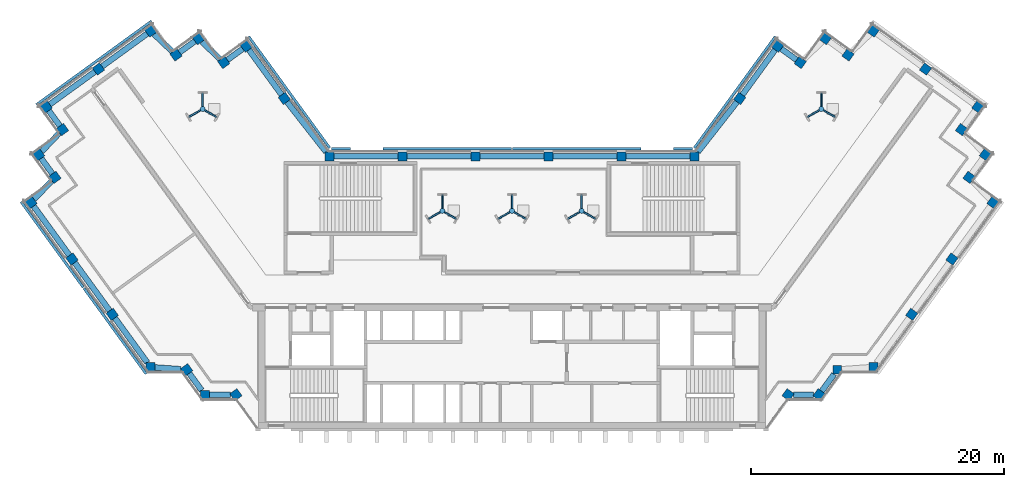
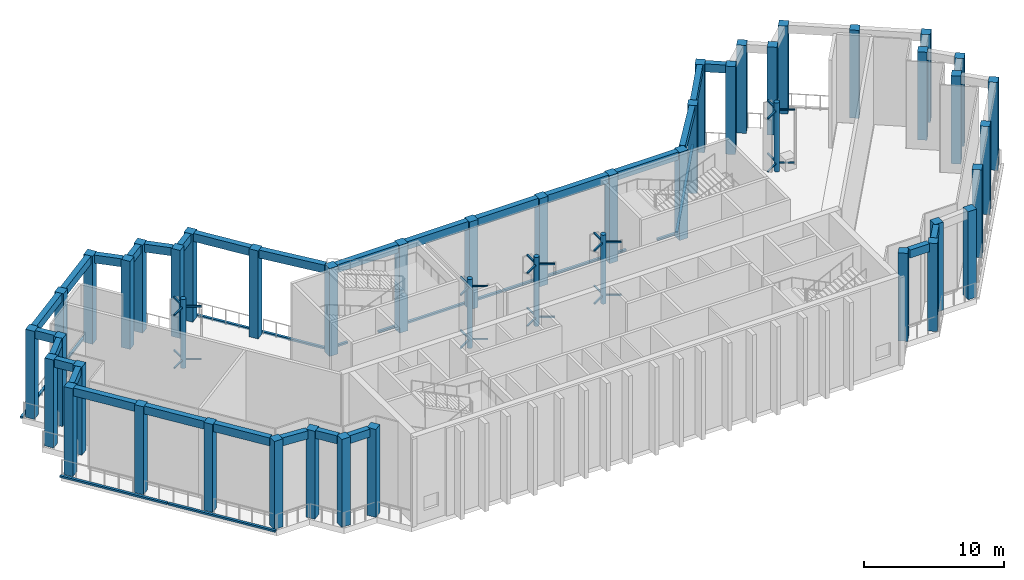
"""IFC4 building model written with IfcOpenShell, lengths in metres."""

from ifc_helpers import new_model, si_unit, direction, frame, origin, origin_2d, place, context, subcontext, project, spatial, rectangle, circle, extrude, material, material_profile, profile_set, type_object, element, aggregate, save


model = new_model("IFC4")

# Units and contexts
model_context = context("Model", 3, precision=1e-05, world=origin(), true_north=direction((0.0, 1.0)))
body_context = subcontext(model_context, "Body", "Model", "MODEL_VIEW")
ifc_project = project(units=[si_unit("LENGTHUNIT", "METRE"), si_unit("AREAUNIT", "SQUARE_METRE"), si_unit("VOLUMEUNIT", "CUBIC_METRE"), si_unit("PLANEANGLEUNIT", "RADIAN"), si_unit("MASSUNIT", "GRAM", prefix="KILO")], contexts=[model_context])

# Site, building, storey
site_placement = place(None, origin())
site = spatial("IfcSite", under=ifc_project, at=site_placement, CompositionType="ELEMENT")
building_placement = place(site_placement, origin())
building = spatial("IfcBuilding", under=site, at=building_placement, Name="Quipu Civic Tower", CompositionType="ELEMENT")
storey_1_placement = place(building_placement, frame((0.0, 0.0, 273.0)))
storey_1 = spatial("IfcBuildingStorey", under=building, at=storey_1_placement, Name="L64", CompositionType="ELEMENT", Elevation=273.0)

# Columns
ifc_material_1 = material(Name="Concrete C50/60", Category="concrete")
ifc_material_profile_1 = material_profile(ifc_material_1, rectangle(XDim=0.699951171875, YDim=0.699951171875, at=origin_2d()), Name="RC700x700")
ifc_profile_set_1 = profile_set([ifc_material_profile_1], Name="Concrete C50/60")
column_type = type_object("IfcColumnType", Name="Perimeter column RC 700x700 C50/60", PredefinedType="COLUMN", material=ifc_profile_set_1)
for number, where, z_axis, x_axis, name in (
    (1, (-17.9736328125, 15.074951171875, 0.0), (0.0, 0.0, 1.0), (-0.587785252292, 0.809016994375, 0.0), "Column L64 W-IN-01"),
    (2, (-20.969970703125, 19.195068359375, 0.0), (0.0, 0.0, 1.0), (-0.587785252292, 0.809016994375, 0.0), "Column L64 T-Wi.0-W22"),
    (3, (-22.749267578125, 17.904296875, 0.0), (0.0, 0.0, 1.0), (-0.587785252292, 0.809016994375, 0.0), "Column L64 T-Wi.1-W22"),
    (4, (-24.739990234375, 19.794921875, 0.0), (0.0, 0.0, 1.0), (-0.587785252292, 0.809016994375, 0.0), "Column L64 T-Wi.2-W22"),
    (5, (-26.51904296875, 18.50048828125, 0.0), (0.0, 0.0, 1.0), (-0.587785252292, 0.809016994375, 0.0), "Column L64 T-Wi.3-W22"),
    (6, (-28.510009765625, 20.389892578125, 0.0), (0.0, 0.0, 1.0), (-0.809016994375, -0.587785252292, 0.0), "Column L64 T-Wi.4-W22"),
    (7, (-32.636962890625, 17.39306640625, 0.0), (0.0, 0.0, 1.0), (-0.809016994375, -0.587785252292, 0.0), "Column L64 TIP-W-01-W22"),
    (8, (-36.764892578125, 14.39501953125, 0.0), (0.0, 0.0, 1.0), (0.587785252292, -0.809016994375, 0.0), "Column L64 T-Wo.0-W22"),
    (9, (-35.470703125, 12.616455078125, 0.0), (0.0, 0.0, 1.0), (-0.809016994375, -0.587785252292, 0.0), "Column L64 T-Wo.1-W22"),
    (10, (-37.360107421875, 10.625, 0.0), (0.0, 0.0, 1.0), (0.587785252292, -0.809016994375, 0.0), "Column L64 T-Wo.2-W22"),
    (11, (-36.068115234375, 8.843994140625, 0.0), (0.0, 0.0, 1.0), (0.587785252292, -0.809016994375, 0.0), "Column L64 T-Wo.3-W22"),
    (12, (-37.9599609375, 6.85498046875, 0.0), (0.0, 0.0, 1.0), (0.587785252292, -0.809016994375, 0.0), "Column L64 T-Wo.4-W22"),
    (13, (-34.722412109375, 2.39990234375, 0.0), (0.0, 0.0, 1.0), (0.587785252292, -0.809016994375, 0.0), "Column L64 W-OUT-02"),
    (14, (-31.54833984375, -1.96875, 0.0), (0.0, 0.0, 1.0), (0.587785252292, -0.809016994375, 0.0), "Column L64 W-OUT-01"),
    (15, (-28.52490234375, -6.1298828125, 0.0), (0.0, 0.0, 1.0), (1.0, 0.0, 0.0), "Column L64 J-Wo.0"),
    (16, (-25.67431640625, -6.3369140625, 0.0), (0.0, 0.0, 1.0), (0.587785252292, -0.809016994375, 0.0), "Column L64 J-Wo.1"),
    (17, (-24.235107421875, -8.31494140625, 0.0), (0.0, 0.0, 1.0), (1.0, 0.0, 0.0), "Column L64 J-Wo.2"),
    (18, (-21.791748046875, -8.31494140625, 0.0), (0.0, 0.0, 1.0), (0.587785252292, -0.809016994375, 0.0), "Column L64 J-Wo.3"),
    (19, (21.791748046875, -8.31494140625, 0.0), (0.0, 0.0, 1.0), (0.587785252292, 0.809016994375, 0.0), "Column L64 J-Eo.1"),
    (20, (24.235107421875, -8.31494140625, 0.0), (0.0, 0.0, 1.0), (0.587785252292, 0.809016994375, 0.0), "Column L64 J-Eo.2"),
    (21, (25.67431640625, -6.3369140625, 0.0), (0.0, 0.0, 1.0), (1.0, 0.0, 0.0), "Column L64 J-Eo.3"),
    (22, (28.52490234375, -6.1298828125, 0.0), (0.0, 0.0, 1.0), (1.0, 0.0, 0.0), "Column L64 J-Eo.4"),
    (23, (31.54833984375, -1.96875, 0.0), (0.0, 0.0, 1.0), (0.587785252292, 0.809016994375, 0.0), "Column L64 E-OUT-01"),
    (24, (34.722412109375, 2.39990234375, 0.0), (0.0, 0.0, 1.0), (0.587785252292, 0.809016994375, 0.0), "Column L64 E-OUT-02"),
    (25, (37.9599609375, 6.85498046875, 0.0), (0.0, 0.0, 1.0), (0.587785252292, 0.809016994375, 0.0), "Column L64 T-Eo.0-E22"),
    (26, (36.068115234375, 8.843994140625, 0.0), (0.0, 0.0, 1.0), (0.587785252292, 0.809016994375, 0.0), "Column L64 T-Eo.1-E22"),
    (27, (37.360107421875, 10.625, 0.0), (0.0, 0.0, 1.0), (0.587785252292, 0.809016994375, 0.0), "Column L64 T-Eo.2-E22"),
    (28, (35.470703125, 12.616455078125, 0.0), (0.0, 0.0, 1.0), (-0.809016994375, 0.587785252292, 0.0), "Column L64 T-Eo.3-E22"),
    (29, (36.764892578125, 14.39501953125, 0.0), (0.0, 0.0, 1.0), (-0.809016994375, 0.587785252292, 0.0), "Column L64 T-Eo.4-E22"),
    (30, (32.636962890625, 17.39306640625, 0.0), (0.0, 0.0, 1.0), (-0.809016994375, 0.587785252292, 0.0), "Column L64 TIP-E-01-E22"),
    (31, (28.510009765625, 20.389892578125, 0.0), (0.0, 0.0, 1.0), (-0.587785252292, -0.809016994375, 0.0), "Column L64 T-Ei.0-E22"),
    (32, (26.51904296875, 18.50048828125, 0.0), (0.0, 0.0, 1.0), (-0.809016994375, 0.587785252292, 0.0), "Column L64 T-Ei.1-E22"),
    (33, (24.739990234375, 19.794921875, 0.0), (0.0, 0.0, 1.0), (-0.587785252292, -0.809016994375, 0.0), "Column L64 T-Ei.2-E22"),
    (34, (22.749267578125, 17.904296875, 0.0), (0.0, 0.0, 1.0), (-0.587785252292, -0.809016994375, 0.0), "Column L64 T-Ei.3-E22"),
    (35, (20.969970703125, 19.195068359375, 0.0), (0.0, 0.0, 1.0), (-0.587785252292, -0.809016994375, 0.0), "Column L64 T-Ei.4-E22"),
    (36, (17.9736328125, 15.074951171875, 0.0), (0.0, 0.0, 1.0), (-0.587785252292, -0.809016994375, 0.0), "Column L64 E-IN-01"),
    (37, (14.395263671875, 10.5, 0.0), (0.0, 0.0, 1.0), (-1.0, 0.0, 0.0), "Column L64 J-Ei.0"),
    (38, (8.63720703125, 10.5, 0.0), (0.0, 0.0, 1.0), (-1.0, 0.0, 0.0), "Column L64 FRONT-01"),
    (39, (2.87890625, 10.5, 0.0), (0.0, 0.0, 1.0), (-1.0, 0.0, 0.0), "Column L64 FRONT-02"),
    (40, (-2.87890625, 10.5, 0.0), (0.0, 0.0, 1.0), (-1.0, 0.0, 0.0), "Column L64 FRONT-03"),
    (41, (-8.63720703125, 10.5, 0.0), (0.0, 0.0, 1.0), (-1.0, 0.0, 0.0), "Column L64 FRONT-04"),
    (42, (-14.395263671875, 10.5, 0.0), (0.0, 0.0, 1.0), (-1.0, 0.0, 0.0), "Column L64 J-Wi.0"),
):
    element("IfcColumn", number, at=place(storey_1_placement, frame(where, z_axis=z_axis, x_axis=x_axis)), inside=storey_1, type_object=column_type, Name=name, PredefinedType="COLUMN", context=body_context, shape_type="SweptSolid", body=[
        extrude(rectangle(XDim=0.699951171875, YDim=0.699951171875, at=origin_2d()), origin(), (0.0, 0.0, 1.0), 7.64990234375),
    ])

# Beams
ifc_material_2 = material(Name="Concrete C50/60", Category="concrete")
ifc_material_profile_2 = material_profile(ifc_material_2, rectangle(XDim=0.449951171875, YDim=0.699951171875, at=origin_2d()), Name="RC450x700")
ifc_profile_set_2 = profile_set([ifc_material_profile_2], Name="Concrete C50/60")
beam_type = type_object("IfcBeamType", Name="Spandrel beam RC 450x700 C50/60", PredefinedType="SPANDREL", material=ifc_profile_set_2)
beam_1_placement = place(storey_1_placement, frame((-18.179443359375, 15.358154296875, 7.300048828125), z_axis=(-0.588201428764, 0.808714460857, 0.0), x_axis=(-0.808714460857, -0.588201428764, 0.0)))
element("IfcBeam", 43, at=beam_1_placement, inside=storey_1, type_object=beam_type, Name="Spandrel beam L64 W-IN-01 to T-Wi.0-W22", PredefinedType="SPANDREL", context=body_context, shape_type="SweptSolid", body=[
    extrude(rectangle(XDim=0.449951171875, YDim=0.699951171875, at=origin_2d()), origin(), (0.0, 0.0, 1.0), 4.394287109375),
])
beam_2_placement = place(storey_1_placement, frame((-21.25341796875, 18.989501953125, 7.300048828125), z_axis=(-0.809461336076, -0.587173181776, 0.0), x_axis=(0.587173181776, -0.809461336076, 0.0)))
element("IfcBeam", 44, at=beam_2_placement, inside=storey_1, type_object=beam_type, Name="Spandrel beam L64 T-Wi.0-W22 to T-Wi.1-W22", PredefinedType="SPANDREL", context=body_context, shape_type="SweptSolid", body=[
    extrude(rectangle(XDim=0.449951171875, YDim=0.699951171875, at=origin_2d()), origin(), (0.0, 0.0, 1.0), 1.498046875),
])
beam_3_placement = place(storey_1_placement, frame((-23.00732421875, 18.1494140625, 7.300048828125), z_axis=(-0.72511931772, 0.6886232461, 0.0), x_axis=(-0.6886232461, -0.72511931772, 0.0)))
element("IfcBeam", 45, at=beam_3_placement, inside=storey_1, type_object=beam_type, Name="Spandrel beam L64 T-Wi.1-W22 to T-Wi.2-W22", PredefinedType="SPANDREL", context=body_context, shape_type="SweptSolid", body=[
    extrude(rectangle(XDim=0.449951171875, YDim=0.699951171875, at=origin_2d()), origin(), (0.0, 0.0, 1.0), 2.03369140625),
])
beam_4_placement = place(storey_1_placement, frame((-25.02294921875, 19.589111328125, 7.300048828125), z_axis=(-0.808644589435, -0.588297482553, 0.0), x_axis=(0.588297482553, -0.808644589435, 0.0)))
element("IfcBeam", 46, at=beam_4_placement, inside=storey_1, type_object=beam_type, Name="Spandrel beam L64 T-Wi.2-W22 to T-Wi.3-W22", PredefinedType="SPANDREL", context=body_context, shape_type="SweptSolid", body=[
    extrude(rectangle(XDim=0.449951171875, YDim=0.699951171875, at=origin_2d()), origin(), (0.0, 0.0, 1.0), 1.500244140625),
])
beam_5_placement = place(storey_1_placement, frame((-26.777099609375, 18.74560546875, 7.300048828125), z_axis=(-0.725359138958, 0.688370626574, 0.0), x_axis=(-0.688370626574, -0.725359138958, 0.0)))
element("IfcBeam", 47, at=beam_5_placement, inside=storey_1, type_object=beam_type, Name="Spandrel beam L64 T-Wi.3-W22 to T-Wi.4-W22", PredefinedType="SPANDREL", context=body_context, shape_type="SweptSolid", body=[
    extrude(rectangle(XDim=0.449951171875, YDim=0.699951171875, at=origin_2d()), origin(), (0.0, 0.0, 1.0), 2.032958984375),
])
beam_6_placement = place(storey_1_placement, frame((-28.793212890625, 20.184326171875, 7.300048828125), z_axis=(-0.809146152767, -0.587607439931, 0.0), x_axis=(0.587607439931, -0.809146152767, 0.0)))
element("IfcBeam", 48, at=beam_6_placement, inside=storey_1, type_object=beam_type, Name="Spandrel beam L64 T-Wi.4-W22 to TIP-W-01-W22", PredefinedType="SPANDREL", context=body_context, shape_type="SweptSolid", body=[
    extrude(rectangle(XDim=0.449951171875, YDim=0.699951171875, at=origin_2d()), origin(), (0.0, 0.0, 1.0), 4.400390625),
])
beam_7_placement = place(storey_1_placement, frame((-32.920166015625, 17.187255859375, 7.300048828125), z_axis=(-0.809117270763, -0.587647208921, 0.0), x_axis=(0.587647208921, -0.809117270763, 0.0)))
element("IfcBeam", 49, at=beam_7_placement, inside=storey_1, type_object=beam_type, Name="Spandrel beam L64 TIP-W-01-W22 to T-Wo.0-W22", PredefinedType="SPANDREL", context=body_context, shape_type="SweptSolid", body=[
    extrude(rectangle(XDim=0.449951171875, YDim=0.699951171875, at=origin_2d()), origin(), (0.0, 0.0, 1.0), 4.40185546875),
])
beam_8_placement = place(storey_1_placement, frame((-36.55908203125, 14.112060546875, 7.300048828125), z_axis=(0.588345920092, -0.808609348394, 0.0), x_axis=(0.808609348394, 0.588345920092, 0.0)))
element("IfcBeam", 50, at=beam_8_placement, inside=storey_1, type_object=beam_type, Name="Spandrel beam L64 T-Wo.0-W22 to T-Wo.1-W22", PredefinedType="SPANDREL", context=body_context, shape_type="SweptSolid", body=[
    extrude(rectangle(XDim=0.449951171875, YDim=0.699951171875, at=origin_2d()), origin(), (0.0, 0.0, 1.0), 1.499755859375),
])
beam_9_placement = place(storey_1_placement, frame((-35.7158203125, 12.358154296875, 7.300048828125), z_axis=(-0.688247466856, -0.725475998477, 0.0), x_axis=(0.725475998477, -0.688247466856, 0.0)))
element("IfcBeam", 51, at=beam_9_placement, inside=storey_1, type_object=beam_type, Name="Spandrel beam L64 T-Wo.1-W22 to T-Wo.2-W22", PredefinedType="SPANDREL", context=body_context, shape_type="SweptSolid", body=[
    extrude(rectangle(XDim=0.449951171875, YDim=0.699951171875, at=origin_2d()), origin(), (0.0, 0.0, 1.0), 2.032958984375),
])
beam_10_placement = place(storey_1_placement, frame((-37.154541015625, 10.341796875, 7.300048828125), z_axis=(0.587164895097, -0.809467347066, 0.0), x_axis=(0.809467347066, 0.587164895097, 0.0)))
element("IfcBeam", 52, at=beam_10_placement, inside=storey_1, type_object=beam_type, Name="Spandrel beam L64 T-Wo.2-W22 to T-Wo.3-W22", PredefinedType="SPANDREL", context=body_context, shape_type="SweptSolid", body=[
    extrude(rectangle(XDim=0.449951171875, YDim=0.699951171875, at=origin_2d()), origin(), (0.0, 0.0, 1.0), 1.500244140625),
])
beam_11_placement = place(storey_1_placement, frame((-36.3134765625, 8.586181640625, 7.300048828125), z_axis=(-0.689175330605, -0.724594620244, 0.0), x_axis=(0.724594620244, -0.689175330605, 0.0)))
element("IfcBeam", 53, at=beam_11_placement, inside=storey_1, type_object=beam_type, Name="Spandrel beam L64 T-Wo.3-W22 to T-Wo.4-W22", PredefinedType="SPANDREL", context=body_context, shape_type="SweptSolid", body=[
    extrude(rectangle(XDim=0.449951171875, YDim=0.699951171875, at=origin_2d()), origin(), (0.0, 0.0, 1.0), 2.033447265625),
])
beam_12_placement = place(storey_1_placement, frame((-37.754150390625, 6.57177734375, 7.300048828125), z_axis=(0.587905928359, -0.808929304328, 0.0), x_axis=(0.808929304328, 0.587905928359, 0.0)))
element("IfcBeam", 54, at=beam_12_placement, inside=storey_1, type_object=beam_type, Name="Spandrel beam L64 T-Wo.4-W22 to W-OUT-02", PredefinedType="SPANDREL", context=body_context, shape_type="SweptSolid", body=[
    extrude(rectangle(XDim=0.449951171875, YDim=0.699951171875, at=origin_2d()), origin(), (0.0, 0.0, 1.0), 4.80712890625),
])
beam_13_placement = place(storey_1_placement, frame((-34.5166015625, 2.116943359375, 7.300048828125), z_axis=(0.587788656305, -0.809014521204, 0.0), x_axis=(0.809014521204, 0.587788656305, 0.0)))
element("IfcBeam", 55, at=beam_13_placement, inside=storey_1, type_object=beam_type, Name="Spandrel beam L64 W-OUT-02 to W-OUT-01", PredefinedType="SPANDREL", context=body_context, shape_type="SweptSolid", body=[
    extrude(rectangle(XDim=0.449951171875, YDim=0.699951171875, at=origin_2d()), origin(), (0.0, 0.0, 1.0), 4.7001953125),
])
beam_14_placement = place(storey_1_placement, frame((-31.342529296875, -2.251953125, 7.300048828125), z_axis=(0.58777550284, -0.809024077677, 0.0), x_axis=(0.809024077677, 0.58777550284, 0.0)))
element("IfcBeam", 56, at=beam_14_placement, inside=storey_1, type_object=beam_type, Name="Spandrel beam L64 W-OUT-01 to J-Wo.0", PredefinedType="SPANDREL", context=body_context, shape_type="SweptSolid", body=[
    extrude(rectangle(XDim=0.449951171875, YDim=0.699951171875, at=origin_2d()), origin(), (0.0, 0.0, 1.0), 4.36083984375),
])
beam_15_placement = place(storey_1_placement, frame((-28.175048828125, -6.155517578125, 7.300048828125), z_axis=(0.99737333325, -0.072432272649, 0.0), x_axis=(0.072432272649, 0.99737333325, 0.0)))
element("IfcBeam", 57, at=beam_15_placement, inside=storey_1, type_object=beam_type, Name="Spandrel beam L64 J-Wo.0 to J-Wo.1", PredefinedType="SPANDREL", context=body_context, shape_type="SweptSolid", body=[
    extrude(rectangle(XDim=0.449951171875, YDim=0.699951171875, at=origin_2d()), origin(), (0.0, 0.0, 1.0), 2.04931640625),
])
beam_16_placement = place(storey_1_placement, frame((-25.468505859375, -6.6201171875, 7.300048828125), z_axis=(0.588407300614, -0.80856468423, 0.0), x_axis=(0.80856468423, 0.588407300614, 0.0)))
element("IfcBeam", 58, at=beam_16_placement, inside=storey_1, type_object=beam_type, Name="Spandrel beam L64 J-Wo.1 to J-Wo.2", PredefinedType="SPANDREL", context=body_context, shape_type="SweptSolid", body=[
    extrude(rectangle(XDim=0.449951171875, YDim=0.699951171875, at=origin_2d()), origin(), (0.0, 0.0, 1.0), 1.663330078125),
])
beam_17_placement = place(storey_1_placement, frame((-23.885009765625, -8.31494140625, 7.300048828125), z_axis=(1.0, 0.0, 0.0), x_axis=(0.0, 1.0, 0.0)))
element("IfcBeam", 59, at=beam_17_placement, inside=storey_1, type_object=beam_type, Name="Spandrel beam L64 J-Wo.2 to J-Wo.3", PredefinedType="SPANDREL", context=body_context, shape_type="SweptSolid", body=[
    extrude(rectangle(XDim=0.449951171875, YDim=0.699951171875, at=origin_2d()), origin(), (0.0, 0.0, 1.0), 1.66064453125),
])
beam_18_placement = place(storey_1_placement, frame((22.224365234375, -8.31494140625, 7.300048828125), z_axis=(1.0, 0.0, 0.0), x_axis=(0.0, 1.0, 0.0)))
element("IfcBeam", 60, at=beam_18_placement, inside=storey_1, type_object=beam_type, Name="Spandrel beam L64 J-Eo.1 to J-Eo.2", PredefinedType="SPANDREL", context=body_context, shape_type="SweptSolid", body=[
    extrude(rectangle(XDim=0.449951171875, YDim=0.699951171875, at=origin_2d()), origin(), (0.0, 0.0, 1.0), 1.578125),
])
beam_19_placement = place(storey_1_placement, frame((24.44091796875, -8.031982421875, 7.300048828125), z_axis=(0.588407300614, 0.80856468423, 0.0), x_axis=(-0.80856468423, 0.588407300614, 0.0)))
element("IfcBeam", 61, at=beam_19_placement, inside=storey_1, type_object=beam_type, Name="Spandrel beam L64 J-Eo.2 to J-Eo.3", PredefinedType="SPANDREL", context=body_context, shape_type="SweptSolid", body=[
    extrude(rectangle(XDim=0.449951171875, YDim=0.699951171875, at=origin_2d()), origin(), (0.0, 0.0, 1.0), 1.663330078125),
])
beam_20_placement = place(storey_1_placement, frame((22.466064453125, 18.10986328125, 7.300048828125), z_axis=(-0.809461336076, 0.587173181776, 0.0), x_axis=(-0.587173181776, -0.809461336076, 0.0)))
element("IfcBeam", 62, at=beam_20_placement, inside=storey_1, type_object=beam_type, Name="Spandrel beam L64 T-Ei.3-E22 to T-Ei.4-E22", PredefinedType="SPANDREL", context=body_context, shape_type="SweptSolid", body=[
    extrude(rectangle(XDim=0.449951171875, YDim=0.699951171875, at=origin_2d()), origin(), (0.0, 0.0, 1.0), 1.498046875),
])
beam_21_placement = place(storey_1_placement, frame((20.76416015625, 18.911865234375, 7.300048828125), z_axis=(-0.588201428764, -0.808714460857, 0.0), x_axis=(0.808714460857, -0.588201428764, 0.0)))
element("IfcBeam", 63, at=beam_21_placement, inside=storey_1, type_object=beam_type, Name="Spandrel beam L64 T-Ei.4-E22 to E-IN-01", PredefinedType="SPANDREL", context=body_context, shape_type="SweptSolid", body=[
    extrude(rectangle(XDim=0.449951171875, YDim=0.699951171875, at=origin_2d()), origin(), (0.0, 0.0, 1.0), 4.394287109375),
])
beam_22_placement = place(storey_1_placement, frame((17.7578125, 14.799072265625, 7.300048828125), z_axis=(-0.616106034519, -0.787663223865, 0.0), x_axis=(0.787663223865, -0.616106034519, 0.0)))
element("IfcBeam", 64, at=beam_22_placement, inside=storey_1, type_object=beam_type, Name="Spandrel beam L64 E-IN-01 to J-Ei.0", PredefinedType="SPANDREL", context=body_context, shape_type="SweptSolid", body=[
    extrude(rectangle(XDim=0.449951171875, YDim=0.699951171875, at=origin_2d()), origin(), (0.0, 0.0, 1.0), 5.013427734375),
])
for number, where, z_axis, x_axis, name in (
    (65, (14.045166015625, 10.5, 7.300048828125), (-1.0, 0.0, 0.0), (0.0, -1.0, 0.0), "Spandrel beam L64 J-Ei.0 to FRONT-01"),
    (66, (8.287109375, 10.5, 7.300048828125), (-1.0, 0.0, 0.0), (0.0, -1.0, 0.0), "Spandrel beam L64 FRONT-01 to FRONT-02"),
    (67, (2.529052734375, 10.5, 7.300048828125), (-1.0, 0.0, 0.0), (0.0, -1.0, 0.0), "Spandrel beam L64 FRONT-02 to FRONT-03"),
    (68, (-3.22900390625, 10.5, 7.300048828125), (-1.0, 0.0, 0.0), (0.0, -1.0, 0.0), "Spandrel beam L64 FRONT-03 to FRONT-04"),
    (69, (-8.987060546875, 10.5, 7.300048828125), (-1.0, 0.0, 0.0), (0.0, -1.0, 0.0), "Spandrel beam L64 FRONT-04 to J-Wi.0"),
):
    element("IfcBeam", number, at=place(storey_1_placement, frame(where, z_axis=z_axis, x_axis=x_axis)), inside=storey_1, type_object=beam_type, Name=name, PredefinedType="SPANDREL", context=body_context, shape_type="SweptSolid", body=[
        extrude(rectangle(XDim=0.449951171875, YDim=0.699951171875, at=origin_2d()), origin(), (0.0, 0.0, 1.0), 5.05810546875),
    ])
beam_23_placement = place(storey_1_placement, frame((-14.6689453125, 10.85009765625, 7.300048828125), z_axis=(-0.616106034519, 0.787663223865, 0.0), x_axis=(-0.787663223865, -0.616106034519, 0.0)))
element("IfcBeam", 70, at=beam_23_placement, inside=storey_1, type_object=beam_type, Name="Spandrel beam L64 J-Wi.0 to W-IN-01", PredefinedType="SPANDREL", context=body_context, shape_type="SweptSolid", body=[
    extrude(rectangle(XDim=0.449951171875, YDim=0.699951171875, at=origin_2d()), origin(), (0.0, 0.0, 1.0), 5.013427734375),
])

# Storey
storey_2_placement = place(building_placement, frame((0.0, 0.0, 269.0)))
storey_2 = spatial("IfcBuildingStorey", under=building, at=storey_2_placement, Name="L63", CompositionType="ELEMENT", Elevation=269.0)

# Curtain wall, member
ifc_material_3 = material(Name="Insulated glass unit", Category="glass")
curtain_wall_type = type_object("IfcCurtainWallType", Name="Office curtain wall CW1", PredefinedType="NOTDEFINED", material=ifc_material_3)
curtain_wall_1_placement = place(storey_2_placement, origin())
curtain_wall_1 = element("IfcCurtainWall", 71, at=curtain_wall_1_placement, inside=storey_2, type_object=curtain_wall_type, Name="Office curtain wall CW1 L62 run 26", PredefinedType="NOTDEFINED")
ifc_material_4 = material(Name="Anodised aluminium", Category="aluminium")
ifc_material_profile_3 = material_profile(ifc_material_4, rectangle(XDim=0.199951171875, YDim=0.159912109375, at=origin_2d()), Name="RECT 200x160")
ifc_profile_set_3 = profile_set([ifc_material_profile_3], Name="Anodised aluminium")
member_type_1 = type_object("IfcMemberType", Name="Transom CW1", PredefinedType="USERDEFINED", material=ifc_profile_set_3)
member_1_placement = place(storey_1_placement, frame((20.788818359375, 19.97021484375, 0.0), z_axis=(-0.587796859727, -0.809008560953, 0.0), x_axis=(0.809008560953, -0.587796859727, 0.0)))
member_1 = element("IfcMember", 72, at=member_1_placement, inside=storey_1, type_object=member_type_1, Name="CW1 transom 1.3", ObjectType="TRANSOM", PredefinedType="USERDEFINED", context=body_context, shape_type="SweptSolid", body=[
    extrude(rectangle(XDim=0.199951171875, YDim=0.159912109375, at=origin_2d()), origin(), (0.0, 0.0, 1.0), 10.88427734375),
])
aggregate(curtain_wall_1, [member_1])

curtain_wall_2_placement = place(storey_2_placement, origin())
curtain_wall_2 = element("IfcCurtainWall", 73, at=curtain_wall_2_placement, inside=storey_2, type_object=curtain_wall_type, Name="Office curtain wall CW1 L62 run 27", PredefinedType="NOTDEFINED")
member_2_placement = place(storey_1_placement, frame((14.26416015625, 11.10009765625, 0.0), z_axis=(-1.0, 0.0, 0.0), x_axis=(0.0, -1.0, 0.0)))
member_2 = element("IfcMember", 74, at=member_2_placement, inside=storey_1, type_object=member_type_1, Name="CW1 transom 1.3", ObjectType="TRANSOM", PredefinedType="USERDEFINED", context=body_context, shape_type="SweptSolid", body=[
    extrude(rectangle(XDim=0.199951171875, YDim=0.159912109375, at=origin_2d()), origin(), (0.0, 0.0, 1.0), 1.529052734375),
])
aggregate(curtain_wall_2, [member_2])

# Curtain wall, members
curtain_wall_3_placement = place(storey_2_placement, origin())
curtain_wall_3 = element("IfcCurtainWall", 75, at=curtain_wall_3_placement, inside=storey_2, type_object=curtain_wall_type, Name="Office curtain wall CW1 L62 run 29", PredefinedType="NOTDEFINED")
member_3_placement = place(storey_1_placement, frame((10.18359375, 11.10009765625, 0.0), z_axis=(-1.0, 0.0, 0.0), x_axis=(0.0, -1.0, 0.0)))
member_3 = element("IfcMember", 76, at=member_3_placement, inside=storey_1, type_object=member_type_1, Name="CW1 transom 1.3", ObjectType="TRANSOM", PredefinedType="USERDEFINED", context=body_context, shape_type="SweptSolid", body=[
    extrude(rectangle(XDim=0.199951171875, YDim=0.159912109375, at=origin_2d()), origin(), (0.0, 0.0, 1.0), 10.1435546875),
])
member_4_placement = place(storey_1_placement, frame((-0.0400390625, 11.10009765625, 0.0), z_axis=(-1.0, 0.0, 0.0), x_axis=(0.0, -1.0, 0.0)))
member_4 = element("IfcMember", 77, at=member_4_placement, inside=storey_1, type_object=member_type_1, Name="CW1 transom 2.3", ObjectType="TRANSOM", PredefinedType="USERDEFINED", context=body_context, shape_type="SweptSolid", body=[
    extrude(rectangle(XDim=0.199951171875, YDim=0.159912109375, at=origin_2d()), origin(), (0.0, 0.0, 1.0), 10.1435546875),
])
aggregate(curtain_wall_3, [member_3, member_4])

# Curtain wall, member
curtain_wall_4_placement = place(storey_2_placement, origin())
curtain_wall_4 = element("IfcCurtainWall", 78, at=curtain_wall_4_placement, inside=storey_2, type_object=curtain_wall_type, Name="Office curtain wall CW1 L62 run 31", PredefinedType="NOTDEFINED")
member_5_placement = place(storey_1_placement, frame((-12.735107421875, 11.10009765625, 0.0), z_axis=(-1.0, 0.0, 0.0), x_axis=(0.0, -1.0, 0.0)))
member_5 = element("IfcMember", 79, at=member_5_placement, inside=storey_1, type_object=member_type_1, Name="CW1 transom 1.3", ObjectType="TRANSOM", PredefinedType="USERDEFINED", context=body_context, shape_type="SweptSolid", body=[
    extrude(rectangle(XDim=0.199951171875, YDim=0.159912109375, at=origin_2d()), origin(), (0.0, 0.0, 1.0), 1.529052734375),
])
aggregate(curtain_wall_4, [member_5])

curtain_wall_5_placement = place(storey_2_placement, origin())
curtain_wall_5 = element("IfcCurtainWall", 80, at=curtain_wall_5_placement, inside=storey_2, type_object=curtain_wall_type, Name="Office curtain wall CW1 L62 run 32", PredefinedType="NOTDEFINED")
member_6_placement = place(storey_1_placement, frame((-14.39111328125, 11.164794921875, 0.0), z_axis=(-0.587796859727, 0.809008560953, 0.0), x_axis=(-0.809008560953, -0.587796859727, 0.0)))
member_6 = element("IfcMember", 81, at=member_6_placement, inside=storey_1, type_object=member_type_1, Name="CW1 transom 1.3", ObjectType="TRANSOM", PredefinedType="USERDEFINED", context=body_context, shape_type="SweptSolid", body=[
    extrude(rectangle(XDim=0.199951171875, YDim=0.159912109375, at=origin_2d()), origin(), (0.0, 0.0, 1.0), 10.88427734375),
])
aggregate(curtain_wall_5, [member_6])

curtain_wall_6_placement = place(storey_2_placement, origin())
curtain_wall_6 = element("IfcCurtainWall", 82, at=curtain_wall_6_placement, inside=storey_2, type_object=curtain_wall_type, Name="Office curtain wall CW1 L62 run 37", PredefinedType="NOTDEFINED")
member_7_placement = place(storey_1_placement, frame((-28.443359375, 21.1826171875, 0.0), z_axis=(-0.809022463805, -0.587777724194, 0.0), x_axis=(0.587777724194, -0.809022463805, 0.0)))
member_7 = element("IfcMember", 83, at=member_7_placement, inside=storey_1, type_object=member_type_1, Name="CW1 transom 1.3", ObjectType="TRANSOM", PredefinedType="USERDEFINED", context=body_context, shape_type="SweptSolid", body=[
    extrude(rectangle(XDim=0.199951171875, YDim=0.159912109375, at=origin_2d()), origin(), (0.0, 0.0, 1.0), 11.240234375),
])
aggregate(curtain_wall_6, [member_7])

# Curtain wall, members
curtain_wall_7_placement = place(storey_2_placement, origin())
curtain_wall_7 = element("IfcCurtainWall", 84, at=curtain_wall_7_placement, inside=storey_2, type_object=curtain_wall_type, Name="Office curtain wall CW1 L63 run 1", PredefinedType="NOTDEFINED")
member_8_placement = place(storey_1_placement, frame((-38.7490234375, 6.92138671875, 0.0), z_axis=(0.587779098815, -0.809021465102, 0.0), x_axis=(0.809021465102, 0.587779098815, 0.0)))
member_8 = element("IfcMember", 85, at=member_8_placement, inside=storey_1, type_object=member_type_1, Name="CW1 transom 1.2", ObjectType="TRANSOM", PredefinedType="USERDEFINED", context=body_context, shape_type="SweptSolid", body=[
    extrude(rectangle(XDim=0.199951171875, YDim=0.159912109375, at=origin_2d()), origin(), (0.0, 0.0, 1.0), 8.35791015625),
])
member_9_placement = place(storey_1_placement, frame((-33.78955078125, 0.094970703125, 0.0), z_axis=(0.587812107925, -0.808997481935, 0.0), x_axis=(0.808997481935, 0.587812107925, 0.0)))
member_9 = element("IfcMember", 86, at=member_9_placement, inside=storey_1, type_object=member_type_1, Name="CW1 transom 2.2", ObjectType="TRANSOM", PredefinedType="USERDEFINED", context=body_context, shape_type="SweptSolid", body=[
    extrude(rectangle(XDim=0.199951171875, YDim=0.159912109375, at=origin_2d()), origin(), (0.0, 0.0, 1.0), 8.35791015625),
])
aggregate(curtain_wall_7, [member_8, member_9])

# Members
ifc_material_5 = material(Name="Steel S355", Category="steel")
ifc_material_profile_4 = material_profile(ifc_material_5, rectangle(XDim=0.1201171875, YDim=0.1201171875, at=origin_2d()), Name="RECT 120x120")
ifc_profile_set_4 = profile_set([ifc_material_profile_4], Name="Steel S355")
member_type_2 = type_object("IfcMemberType", Name="Turbine arm", PredefinedType="BRACE", material=ifc_profile_set_4)
for number, where, z_axis, x_axis, name in (
    (87, (-24.412109375, 14.43798828125, 0.699951171875), (0.0, 1.0, 0.0), (-1.0, 0.0, 0.0), "Wind turbine VT-1 arm 1.1"),
    (88, (-24.412109375, 14.43798828125, 5.300048828125), (0.0, 1.0, 0.0), (-1.0, 0.0, 0.0), "Wind turbine VT-1 arm 1.2"),
    (89, (-24.585205078125, 14.137939453125, 0.699951171875), (-0.866008176907, -0.50002983664, 0.0), (0.50002983664, -0.866008176907, 0.0), "Wind turbine VT-1 arm 2.1"),
    (90, (-24.585205078125, 14.137939453125, 5.300048828125), (-0.866008176907, -0.50002983664, 0.0), (0.50002983664, -0.866008176907, 0.0), "Wind turbine VT-1 arm 2.2"),
    (91, (-24.23876953125, 14.137939453125, 0.699951171875), (0.866008176907, -0.50002983664, 0.0), (0.50002983664, 0.866008176907, 0.0), "Wind turbine VT-1 arm 3.1"),
    (92, (-24.23876953125, 14.137939453125, 5.300048828125), (0.866008176907, -0.50002983664, 0.0), (0.50002983664, 0.866008176907, 0.0), "Wind turbine VT-1 arm 3.2"),
    (93, (-5.5, 6.39990234375, 0.699951171875), (0.0, 1.0, 0.0), (-1.0, 0.0, 0.0), "Wind turbine VT-2 arm 1.1"),
    (94, (-5.5, 6.39990234375, 5.300048828125), (0.0, 1.0, 0.0), (-1.0, 0.0, 0.0), "Wind turbine VT-2 arm 1.2"),
    (95, (-5.673095703125, 6.10009765625, 0.699951171875), (-0.866008176907, -0.50002983664, 0.0), (0.50002983664, -0.866008176907, 0.0), "Wind turbine VT-2 arm 2.1"),
    (96, (-5.673095703125, 6.10009765625, 5.300048828125), (-0.866008176907, -0.50002983664, 0.0), (0.50002983664, -0.866008176907, 0.0), "Wind turbine VT-2 arm 2.2"),
    (97, (-5.326904296875, 6.10009765625, 0.699951171875), (0.866008176907, -0.50002983664, 0.0), (0.50002983664, 0.866008176907, 0.0), "Wind turbine VT-2 arm 3.1"),
    (98, (-5.326904296875, 6.10009765625, 5.300048828125), (0.866008176907, -0.50002983664, 0.0), (0.50002983664, 0.866008176907, 0.0), "Wind turbine VT-2 arm 3.2"),
    (99, (0.0, 6.39990234375, 0.699951171875), (0.0, 1.0, 0.0), (-1.0, 0.0, 0.0), "Wind turbine VT-3 arm 1.1"),
    (100, (0.0, 6.39990234375, 5.300048828125), (0.0, 1.0, 0.0), (-1.0, 0.0, 0.0), "Wind turbine VT-3 arm 1.2"),
    (101, (-0.173095703125, 6.10009765625, 0.699951171875), (-0.866008176907, -0.50002983664, 0.0), (0.50002983664, -0.866008176907, 0.0), "Wind turbine VT-3 arm 2.1"),
    (102, (-0.173095703125, 6.10009765625, 5.300048828125), (-0.866008176907, -0.50002983664, 0.0), (0.50002983664, -0.866008176907, 0.0), "Wind turbine VT-3 arm 2.2"),
    (103, (0.173095703125, 6.10009765625, 0.699951171875), (0.866008176907, -0.50002983664, 0.0), (0.50002983664, 0.866008176907, 0.0), "Wind turbine VT-3 arm 3.1"),
    (104, (0.173095703125, 6.10009765625, 5.300048828125), (0.866008176907, -0.50002983664, 0.0), (0.50002983664, 0.866008176907, 0.0), "Wind turbine VT-3 arm 3.2"),
    (105, (5.5, 6.39990234375, 0.699951171875), (0.0, 1.0, 0.0), (-1.0, 0.0, 0.0), "Wind turbine VT-4 arm 1.1"),
    (106, (5.5, 6.39990234375, 5.300048828125), (0.0, 1.0, 0.0), (-1.0, 0.0, 0.0), "Wind turbine VT-4 arm 1.2"),
    (107, (5.326904296875, 6.10009765625, 0.699951171875), (-0.866008176907, -0.50002983664, 0.0), (0.50002983664, -0.866008176907, 0.0), "Wind turbine VT-4 arm 2.1"),
    (108, (5.326904296875, 6.10009765625, 5.300048828125), (-0.866008176907, -0.50002983664, 0.0), (0.50002983664, -0.866008176907, 0.0), "Wind turbine VT-4 arm 2.2"),
    (109, (5.673095703125, 6.10009765625, 0.699951171875), (0.866008176907, -0.50002983664, 0.0), (0.50002983664, 0.866008176907, 0.0), "Wind turbine VT-4 arm 3.1"),
    (110, (5.673095703125, 6.10009765625, 5.300048828125), (0.866008176907, -0.50002983664, 0.0), (0.50002983664, 0.866008176907, 0.0), "Wind turbine VT-4 arm 3.2"),
    (111, (24.412109375, 14.43798828125, 0.699951171875), (0.0, 1.0, 0.0), (-1.0, 0.0, 0.0), "Wind turbine VT-5 arm 1.1"),
    (112, (24.412109375, 14.43798828125, 5.300048828125), (0.0, 1.0, 0.0), (-1.0, 0.0, 0.0), "Wind turbine VT-5 arm 1.2"),
    (113, (24.23876953125, 14.137939453125, 0.699951171875), (-0.866008176907, -0.50002983664, 0.0), (0.50002983664, -0.866008176907, 0.0), "Wind turbine VT-5 arm 2.1"),
    (114, (24.23876953125, 14.137939453125, 5.300048828125), (-0.866008176907, -0.50002983664, 0.0), (0.50002983664, -0.866008176907, 0.0), "Wind turbine VT-5 arm 2.2"),
    (115, (24.585205078125, 14.137939453125, 0.699951171875), (0.866008176907, -0.50002983664, 0.0), (0.50002983664, 0.866008176907, 0.0), "Wind turbine VT-5 arm 3.1"),
    (116, (24.585205078125, 14.137939453125, 5.300048828125), (0.866008176907, -0.50002983664, 0.0), (0.50002983664, 0.866008176907, 0.0), "Wind turbine VT-5 arm 3.2"),
):
    element("IfcMember", number, at=place(storey_1_placement, frame(where, z_axis=z_axis, x_axis=x_axis)), inside=storey_1, type_object=member_type_2, Name=name, PredefinedType="BRACE", context=body_context, shape_type="SweptSolid", body=[
        extrude(rectangle(XDim=0.1201171875, YDim=0.1201171875, at=origin_2d()), origin(), (0.0, 0.0, 1.0), 1.10009765625),
    ])
ifc_material_6 = material(Name="Steel S355", Category="steel")
ifc_material_profile_5 = material_profile(ifc_material_6, circle(Radius=0.199951171875, at=origin_2d()), Name="CIRCLE 400")
ifc_profile_set_5 = profile_set([ifc_material_profile_5], Name="Steel S355")
member_type_3 = type_object("IfcMemberType", Name="Turbine shaft", PredefinedType="POST", material=ifc_profile_set_5)
for number, where, z_axis, x_axis, name in (
    (117, (-24.412109375, 14.238037109375, 0.0), (0.0, 0.0, 1.0), (1.0, 0.0, 0.0), "Wind turbine VT-1 shaft"),
    (118, (-5.5, 6.199951171875, 0.0), (0.0, 0.0, 1.0), (1.0, 0.0, 0.0), "Wind turbine VT-2 shaft"),
    (119, (0.0, 6.199951171875, 0.0), (0.0, 0.0, 1.0), (1.0, 0.0, 0.0), "Wind turbine VT-3 shaft"),
    (120, (5.5, 6.199951171875, 0.0), (0.0, 0.0, 1.0), (1.0, 0.0, 0.0), "Wind turbine VT-4 shaft"),
    (121, (24.412109375, 14.238037109375, 0.0), (0.0, 0.0, 1.0), (1.0, 0.0, 0.0), "Wind turbine VT-5 shaft"),
):
    element("IfcMember", number, at=place(storey_1_placement, frame(where, z_axis=z_axis, x_axis=x_axis)), inside=storey_1, type_object=member_type_3, Name=name, PredefinedType="POST", context=body_context, shape_type="SweptSolid", body=[
        extrude(circle(Radius=0.199951171875, at=origin_2d()), origin(), (0.0, 0.0, 1.0), 6.0),
    ])

save(model, "model.ifc")
